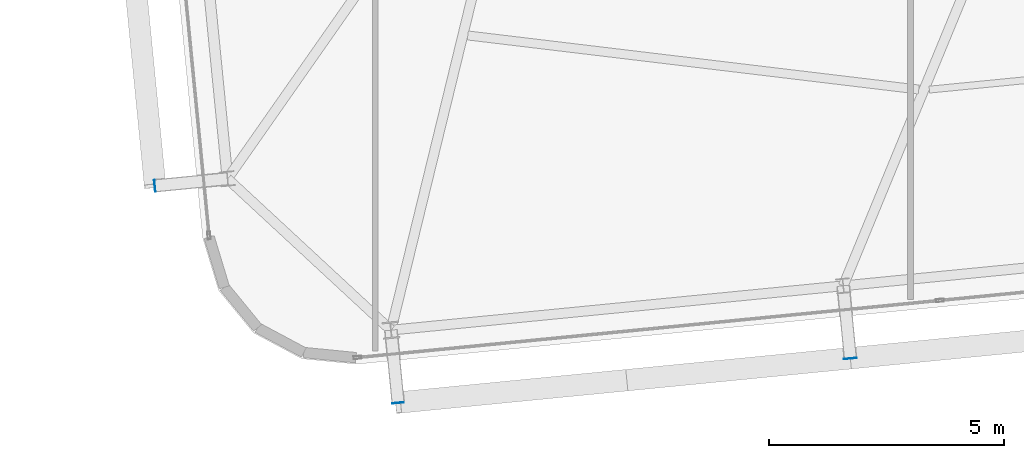
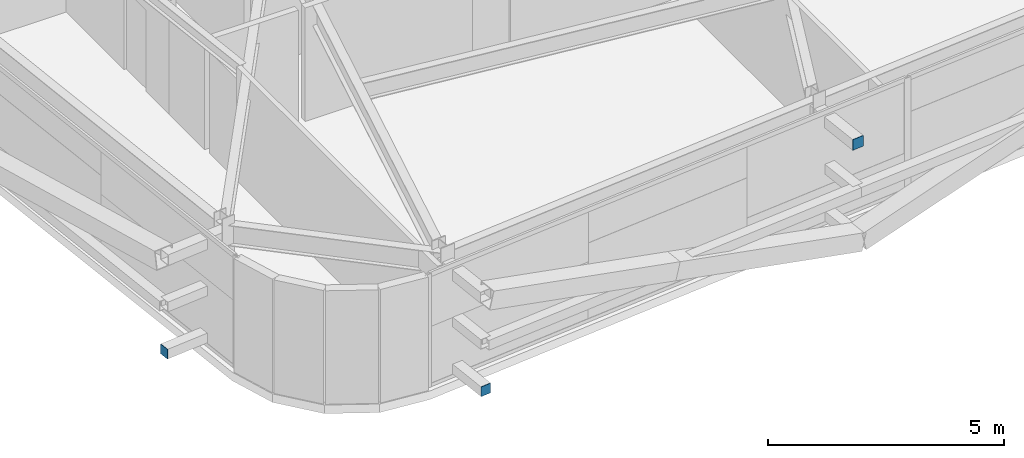
# One storey, part 33 of 47: 3 plates.
"""IFC4 building model written with IfcOpenShell, lengths in metres."""

from ifc_helpers import new_model, si_unit, direction, frame, origin, origin_2d, place, context, subcontext, project, spatial, rectangle, extrude, source, transform, mapped, material, layer, layer_set, type_object, element, save


model = new_model("IFC4")

# Units and contexts
model_context = context("Model", 3, precision=1e-05, world=origin(), true_north=direction((0.0, 1.0)))
body_context = subcontext(model_context, "Body", "Model", "MODEL_VIEW")
ifc_project = project(units=[si_unit("LENGTHUNIT", "METRE"), si_unit("AREAUNIT", "SQUARE_METRE"), si_unit("VOLUMEUNIT", "CUBIC_METRE"), si_unit("PLANEANGLEUNIT", "RADIAN"), si_unit("MASSUNIT", "GRAM", prefix="KILO")], contexts=[model_context])

# Site, building, storey
site_placement = place(None, origin())
site = spatial("IfcSite", under=ifc_project, at=site_placement, CompositionType="ELEMENT")
building_placement = place(site_placement, origin())
building = spatial("IfcBuilding", under=site, at=building_placement, Name="Taldren Reach Tower", CompositionType="ELEMENT")
storey_placement = place(building_placement, frame((0.0, 0.0, 90.300048828125)))
storey = spatial("IfcBuildingStorey", under=building, at=storey_placement, Name="L27", CompositionType="ELEMENT", Elevation=90.300048828125)

# Plates
ifc_material_1 = material(Name="Steel Gr 450 (C450L0)", Category="steel")
ifc_layer_1 = layer(ifc_material_1, 0.011962890625)
ifc_layer_set_1 = layer_set([ifc_layer_1], Name="Steel Gr 450 (C450L0)")
plate_type_1 = type_object("IfcPlateType", Name="PL-CAP-275", PredefinedType="SHEET", material=ifc_layer_set_1)
shared_shape_1 = source(origin(), body_context, "Body", "SweptSolid", [
    extrude(rectangle(XDim=0.27490234375, YDim=0.011962890625, at=origin_2d()), origin(), (0.0, 0.0, 1.0), 0.27490234375),
])
plate_1_placement = place(storey_placement, frame((24.7197265625, -0.683837890625, 2.512451171875), z_axis=(0.0, 0.0, 1.0), x_axis=(0.995227399982, 0.097582899759, 0.0)))
element("IfcPlate", 1, at=plate_1_placement, inside=storey, type_object=plate_type_1, Name="Tie strut end cap plate B2-S2 L27", PredefinedType="SHEET", context=body_context, shape_type="MappedRepresentation", body=[
    mapped(shared_shape_1, transform((0.0, 0.0, 0.0), scale=1.0)),
])
ifc_material_2 = material(Name="Steel Gr 350 (C350L0)", Category="steel")
ifc_layer_2 = layer(ifc_material_2, 0.011962890625)
ifc_layer_set_2 = layer_set([ifc_layer_2], Name="Steel Gr 350 (C350L0)")
plate_type_2 = type_object("IfcPlateType", Name="PL-CAP-250", PredefinedType="SHEET", material=ifc_layer_set_2)
shared_shape_2 = source(origin(), body_context, "Body", "SweptSolid", [
    extrude(rectangle(XDim=0.25, YDim=0.011962890625, at=origin_2d()), origin(), (0.0, 0.0, 1.0), 0.25),
])
plate_2_placement = place(storey_placement, frame((15.0859375, -1.62841796875, 0.094970703125), z_axis=(0.0, 0.0, 1.0), x_axis=(0.995227399982, 0.097582899759, 0.0)))
element("IfcPlate", 2, at=plate_2_placement, inside=storey, type_object=plate_type_2, Name="Tie strut end cap plate B2-S1 L27", PredefinedType="SHEET", context=body_context, shape_type="MappedRepresentation", body=[
    mapped(shared_shape_2, transform((0.0, 0.0, 0.0), scale=1.0)),
])
shared_shape_3 = source(origin(), body_context, "Body", "SweptSolid", [
    extrude(rectangle(XDim=0.011962890625, YDim=0.25, at=origin_2d()), origin(), (0.0, 0.0, 1.0), 0.25),
])
plate_3_placement = place(storey_placement, frame((9.904296875, 2.993896484375, 0.094970703125), z_axis=(0.0, 0.0, 1.0), x_axis=(0.995227399982, 0.097582899759, 0.0)))
element("IfcPlate", 3, at=plate_3_placement, inside=storey, type_object=plate_type_2, Name="Tie strut end cap plate B2-W1 L27", PredefinedType="SHEET", context=body_context, shape_type="MappedRepresentation", body=[
    mapped(shared_shape_3, transform((0.0, 0.0, 0.0), scale=1.0)),
])

save(model, "model.ifc")
